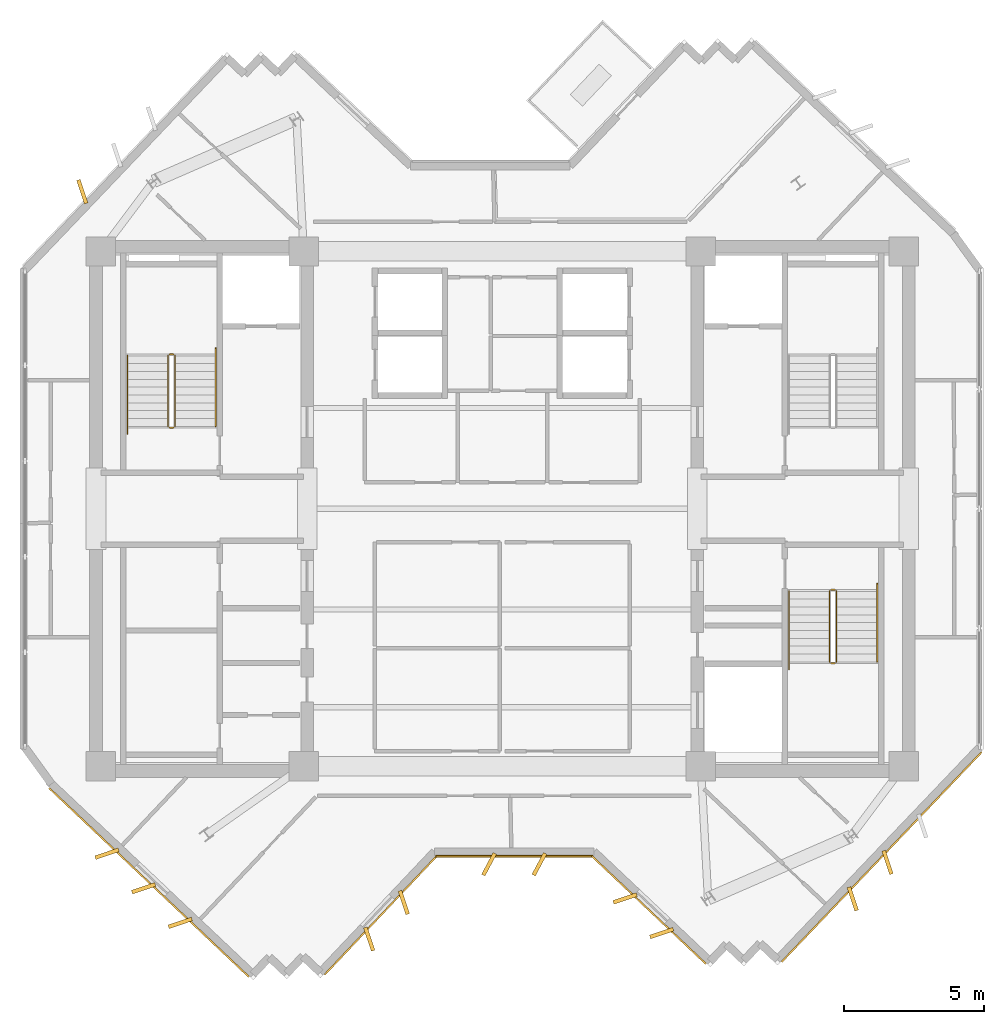
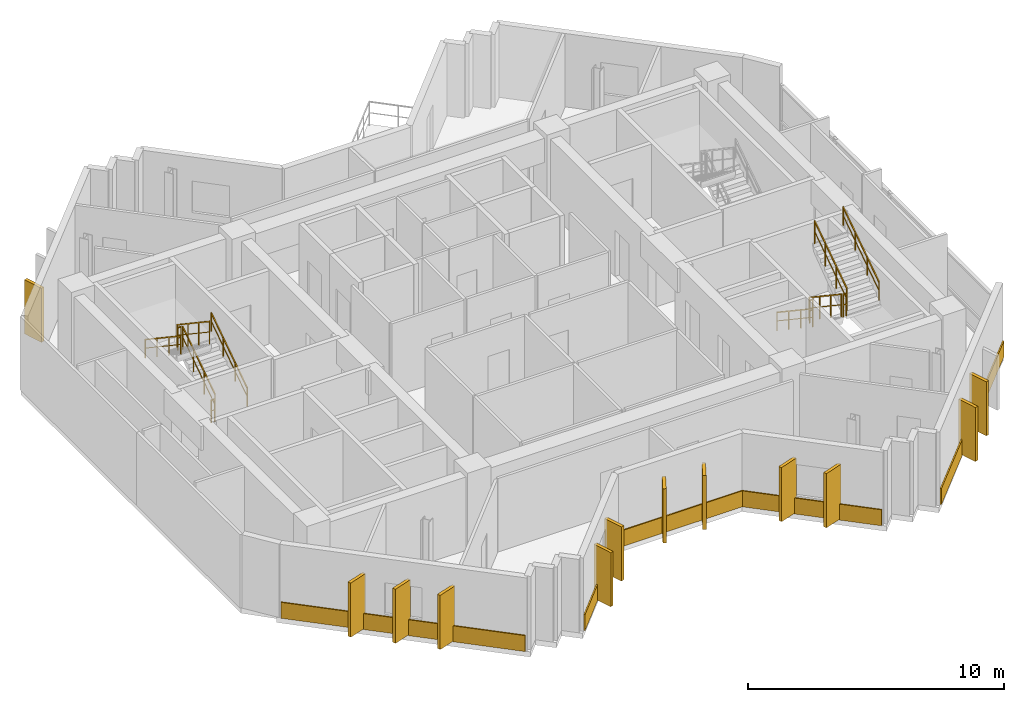
# One storey, part 8 of 9: 17 coverings, 12 railings.
"""IFC4 building model written with IfcOpenShell, lengths in metres."""

from ifc_helpers import new_model, si_unit, direction, frame, origin, origin_2d, place, context, subcontext, project, spatial, rectangle, extrude, source, transform, mapped, material, layer, layer_set, type_object, element, save


model = new_model("IFC4")

# Units and contexts
model_context = context("Model", 3, precision=1e-05, world=origin(), true_north=direction((0.0, 1.0)))
body_context = subcontext(model_context, "Body", "Model", "MODEL_VIEW")
ifc_project = project(units=[si_unit("LENGTHUNIT", "METRE"), si_unit("AREAUNIT", "SQUARE_METRE"), si_unit("VOLUMEUNIT", "CUBIC_METRE"), si_unit("PLANEANGLEUNIT", "RADIAN"), si_unit("MASSUNIT", "GRAM", prefix="KILO")], contexts=[model_context])

# Site, building, storey
site_placement = place(None, origin())
site = spatial("IfcSite", under=ifc_project, at=site_placement, CompositionType="ELEMENT")
building_placement = place(site_placement, origin())
building = spatial("IfcBuilding", under=site, at=building_placement, Name="Zahravan Cultural Tower", CompositionType="ELEMENT")
storey_placement = place(building_placement, frame((0.0, 0.0, 306.60009765625)))
storey = spatial("IfcBuildingStorey", under=building, at=storey_placement, Name="L74", CompositionType="ELEMENT", Elevation=306.60009765625)

# Railings
ifc_material_1 = material(Name="Steel ASTM A572 Grade 50", Category="steel")
railing_type_1 = type_object("IfcRailingType", Name="RL-STAIR-GRD1150", PredefinedType="BALUSTRADE", material=ifc_material_1)
railing_1_placement = place(storey_placement, frame((24.300048828125, 29.949951171875, 0.1875)))
element("IfcRailing", 1, at=railing_1_placement, inside=storey, type_object=railing_type_1, Name="L74 ST-W1 stair guard 1", PredefinedType="BALUSTRADE", context=body_context, shape_type="SweptSolid", body=[
    extrude(rectangle(XDim=0.05, YDim=0.05, at=origin_2d()), frame((0.0, 0.0, 1.0751953125), z_axis=(0.0, 0.830909170722, 0.55640807867), x_axis=(-1.0, 0.0, 0.0)), (0.0, 0.0, 1.0), 3.032958984375),
    extrude(rectangle(XDim=0.032, YDim=0.032, at=origin_2d()), frame((0.0, 0.0, 0.572021484375), z_axis=(0.0, 0.830909170722, 0.55640807867), x_axis=(-1.0, 0.0, 0.0)), (0.0, 0.0, 1.0), 3.032958984375),
    extrude(rectangle(XDim=0.04, YDim=0.04, at=origin_2d()), origin(), (0.0, 0.0, 1.0), 1.10009765625),
    extrude(rectangle(XDim=0.04, YDim=0.04, at=origin_2d()), frame((0.0, 0.840087890625, 0.5625)), (0.0, 0.0, 1.0), 1.10009765625),
    extrude(rectangle(XDim=0.04, YDim=0.04, at=origin_2d()), frame((0.0, 1.679931640625, 1.125)), (0.0, 0.0, 1.0), 1.10009765625),
    extrude(rectangle(XDim=0.04, YDim=0.04, at=origin_2d()), frame((0.0, 2.52001953125, 1.6875)), (0.0, 0.0, 1.0), 1.10009765625),
])
railing_2_placement = place(storey_placement, frame((24.25, 32.52001953125, 1.875)))
element("IfcRailing", 2, at=railing_2_placement, inside=storey, type_object=railing_type_1, Name="L74 ST-W1 stair guard 2", PredefinedType="BALUSTRADE", context=body_context, shape_type="SweptSolid", body=[
    extrude(rectangle(XDim=0.05, YDim=0.05, at=origin_2d()), frame((0.0, 0.0, 1.0751953125), z_axis=(-1.0, 0.0, 0.0), x_axis=(0.0, -1.0, 0.0)), (0.0, 0.0, 1.0), 0.14990234375),
    extrude(rectangle(XDim=0.032, YDim=0.032, at=origin_2d()), frame((0.0, 0.0, 0.572021484375), z_axis=(-1.0, 0.0, 0.0), x_axis=(0.0, -1.0, 0.0)), (0.0, 0.0, 1.0), 0.14990234375),
    extrude(rectangle(XDim=0.04, YDim=0.04, at=origin_2d()), origin(), (0.0, 0.0, 1.0), 1.10009765625),
    extrude(rectangle(XDim=0.04, YDim=0.04, at=origin_2d()), frame((-0.14990234375, 0.0, 0.0)), (0.0, 0.0, 1.0), 1.10009765625),
])
railing_3_placement = place(storey_placement, frame((24.050048828125, 32.469970703125, 2.0625)))
element("IfcRailing", 3, at=railing_3_placement, inside=storey, type_object=railing_type_1, Name="L74 ST-W1 stair guard 3", PredefinedType="BALUSTRADE", context=body_context, shape_type="SweptSolid", body=[
    extrude(rectangle(XDim=0.05, YDim=0.05, at=origin_2d()), frame((0.0, 0.0, 1.0751953125), z_axis=(0.0, -0.830909170722, 0.55640807867), x_axis=(1.0, 0.0, 0.0)), (0.0, 0.0, 1.0), 3.032958984375),
    extrude(rectangle(XDim=0.032, YDim=0.032, at=origin_2d()), frame((0.0, 0.0, 0.572021484375), z_axis=(0.0, -0.830909170722, 0.55640807867), x_axis=(1.0, 0.0, 0.0)), (0.0, 0.0, 1.0), 3.032958984375),
    extrude(rectangle(XDim=0.04, YDim=0.04, at=origin_2d()), origin(), (0.0, 0.0, 1.0), 1.10009765625),
    extrude(rectangle(XDim=0.04, YDim=0.04, at=origin_2d()), frame((0.0, -0.840087890625, 0.5625)), (0.0, 0.0, 1.0), 1.10009765625),
    extrude(rectangle(XDim=0.04, YDim=0.04, at=origin_2d()), frame((0.0, -1.679931640625, 1.125)), (0.0, 0.0, 1.0), 1.10009765625),
    extrude(rectangle(XDim=0.04, YDim=0.04, at=origin_2d()), frame((0.0, -2.52001953125, 1.6875)), (0.0, 0.0, 1.0), 1.10009765625),
])
railing_4_placement = place(storey_placement, frame((24.25, 29.89990234375, 0.0)))
element("IfcRailing", 4, at=railing_4_placement, inside=storey, type_object=railing_type_1, Name="L74 ST-W1 stair guard 4", PredefinedType="BALUSTRADE", context=body_context, shape_type="SweptSolid", body=[
    extrude(rectangle(XDim=0.05, YDim=0.05, at=origin_2d()), frame((0.0, 0.0, 1.0751953125), z_axis=(-1.0, 0.0, 0.0), x_axis=(0.0, -1.0, 0.0)), (0.0, 0.0, 1.0), 0.14990234375),
    extrude(rectangle(XDim=0.032, YDim=0.032, at=origin_2d()), frame((0.0, 0.0, 0.572021484375), z_axis=(-1.0, 0.0, 0.0), x_axis=(0.0, -1.0, 0.0)), (0.0, 0.0, 1.0), 0.14990234375),
    extrude(rectangle(XDim=0.04, YDim=0.04, at=origin_2d()), origin(), (0.0, 0.0, 1.0), 1.10009765625),
    extrude(rectangle(XDim=0.04, YDim=0.04, at=origin_2d()), frame((-0.14990234375, 0.0, 0.0)), (0.0, 0.0, 1.0), 1.10009765625),
])
railing_5_placement = place(storey_placement, frame((47.699951171875, 24.050048828125, 0.1875)))
element("IfcRailing", 5, at=railing_5_placement, inside=storey, type_object=railing_type_1, Name="L74 ST-E2 stair guard 1", PredefinedType="BALUSTRADE", context=body_context, shape_type="SweptSolid", body=[
    extrude(rectangle(XDim=0.05, YDim=0.05, at=origin_2d()), frame((0.0, 0.0, 1.0751953125), z_axis=(0.0, -0.830909170722, 0.55640807867), x_axis=(1.0, 0.0, 0.0)), (0.0, 0.0, 1.0), 3.032958984375),
    extrude(rectangle(XDim=0.032, YDim=0.032, at=origin_2d()), frame((0.0, 0.0, 0.572021484375), z_axis=(0.0, -0.830909170722, 0.55640807867), x_axis=(1.0, 0.0, 0.0)), (0.0, 0.0, 1.0), 3.032958984375),
    extrude(rectangle(XDim=0.04, YDim=0.04, at=origin_2d()), origin(), (0.0, 0.0, 1.0), 1.10009765625),
    extrude(rectangle(XDim=0.04, YDim=0.04, at=origin_2d()), frame((0.0, -0.840087890625, 0.5625)), (0.0, 0.0, 1.0), 1.10009765625),
    extrude(rectangle(XDim=0.04, YDim=0.04, at=origin_2d()), frame((0.0, -1.679931640625, 1.125)), (0.0, 0.0, 1.0), 1.10009765625),
    extrude(rectangle(XDim=0.04, YDim=0.04, at=origin_2d()), frame((0.0, -2.52001953125, 1.6875)), (0.0, 0.0, 1.0), 1.10009765625),
])
railing_6_placement = place(storey_placement, frame((47.75, 21.47998046875, 1.875)))
element("IfcRailing", 6, at=railing_6_placement, inside=storey, type_object=railing_type_1, Name="L74 ST-E2 stair guard 2", PredefinedType="BALUSTRADE", context=body_context, shape_type="SweptSolid", body=[
    extrude(rectangle(XDim=0.05, YDim=0.05, at=origin_2d()), frame((0.0, 0.0, 1.0751953125), z_axis=(1.0, 0.0, 0.0), x_axis=(0.0, 1.0, 0.0)), (0.0, 0.0, 1.0), 0.14990234375),
    extrude(rectangle(XDim=0.032, YDim=0.032, at=origin_2d()), frame((0.0, 0.0, 0.572021484375), z_axis=(1.0, 0.0, 0.0), x_axis=(0.0, 1.0, 0.0)), (0.0, 0.0, 1.0), 0.14990234375),
    extrude(rectangle(XDim=0.04, YDim=0.04, at=origin_2d()), origin(), (0.0, 0.0, 1.0), 1.10009765625),
    extrude(rectangle(XDim=0.04, YDim=0.04, at=origin_2d()), frame((0.14990234375, 0.0, 0.0)), (0.0, 0.0, 1.0), 1.10009765625),
])
railing_7_placement = place(storey_placement, frame((47.949951171875, 21.530029296875, 2.0625)))
element("IfcRailing", 7, at=railing_7_placement, inside=storey, type_object=railing_type_1, Name="L74 ST-E2 stair guard 3", PredefinedType="BALUSTRADE", context=body_context, shape_type="SweptSolid", body=[
    extrude(rectangle(XDim=0.05, YDim=0.05, at=origin_2d()), frame((0.0, 0.0, 1.0751953125), z_axis=(0.0, 0.830909170722, 0.55640807867), x_axis=(-1.0, 0.0, 0.0)), (0.0, 0.0, 1.0), 3.032958984375),
    extrude(rectangle(XDim=0.032, YDim=0.032, at=origin_2d()), frame((0.0, 0.0, 0.572021484375), z_axis=(0.0, 0.830909170722, 0.55640807867), x_axis=(-1.0, 0.0, 0.0)), (0.0, 0.0, 1.0), 3.032958984375),
    extrude(rectangle(XDim=0.04, YDim=0.04, at=origin_2d()), origin(), (0.0, 0.0, 1.0), 1.10009765625),
    extrude(rectangle(XDim=0.04, YDim=0.04, at=origin_2d()), frame((0.0, 0.840087890625, 0.5625)), (0.0, 0.0, 1.0), 1.10009765625),
    extrude(rectangle(XDim=0.04, YDim=0.04, at=origin_2d()), frame((0.0, 1.679931640625, 1.125)), (0.0, 0.0, 1.0), 1.10009765625),
    extrude(rectangle(XDim=0.04, YDim=0.04, at=origin_2d()), frame((0.0, 2.52001953125, 1.6875)), (0.0, 0.0, 1.0), 1.10009765625),
])
railing_8_placement = place(storey_placement, frame((47.75, 24.10009765625, 0.0)))
element("IfcRailing", 8, at=railing_8_placement, inside=storey, type_object=railing_type_1, Name="L74 ST-E2 stair guard 4", PredefinedType="BALUSTRADE", context=body_context, shape_type="SweptSolid", body=[
    extrude(rectangle(XDim=0.05, YDim=0.05, at=origin_2d()), frame((0.0, 0.0, 1.0751953125), z_axis=(1.0, 0.0, 0.0), x_axis=(0.0, 1.0, 0.0)), (0.0, 0.0, 1.0), 0.14990234375),
    extrude(rectangle(XDim=0.032, YDim=0.032, at=origin_2d()), frame((0.0, 0.0, 0.572021484375), z_axis=(1.0, 0.0, 0.0), x_axis=(0.0, 1.0, 0.0)), (0.0, 0.0, 1.0), 0.14990234375),
    extrude(rectangle(XDim=0.04, YDim=0.04, at=origin_2d()), origin(), (0.0, 0.0, 1.0), 1.10009765625),
    extrude(rectangle(XDim=0.04, YDim=0.04, at=origin_2d()), frame((0.14990234375, 0.0, 0.0)), (0.0, 0.0, 1.0), 1.10009765625),
])
railing_type_2 = type_object("IfcRailingType", Name="RL-STAIR-HR900", PredefinedType="HANDRAIL", material=ifc_material_1)
railing_9_placement = place(storey_placement, frame((25.75, 29.949951171875, 0.1875)))
element("IfcRailing", 9, at=railing_9_placement, inside=storey, type_object=railing_type_2, Name="L74 ST-W1 stair handrail 1", PredefinedType="HANDRAIL", context=body_context, shape_type="SweptSolid", body=[
    extrude(rectangle(XDim=0.05, YDim=0.05, at=origin_2d()), frame((0.0, 0.0, 0.875), z_axis=(0.0, 0.830911662861, 0.55640435703), x_axis=(-1.0, 0.0, 0.0)), (0.0, 0.0, 1.0), 3.369873046875),
    extrude(rectangle(XDim=0.032, YDim=0.032, at=origin_2d()), frame((0.0, 0.0, 0.468017578125), z_axis=(0.0, 0.830911662861, 0.55640435703), x_axis=(-1.0, 0.0, 0.0)), (0.0, 0.0, 1.0), 3.369873046875),
    extrude(rectangle(XDim=0.04, YDim=0.04, at=origin_2d()), origin(), (0.0, 0.0, 1.0), 0.89990234375),
    extrude(rectangle(XDim=0.04, YDim=0.04, at=origin_2d()), frame((0.0, 0.933349609375, 0.625)), (0.0, 0.0, 1.0), 0.89990234375),
    extrude(rectangle(XDim=0.04, YDim=0.04, at=origin_2d()), frame((0.0, 1.86669921875, 1.25)), (0.0, 0.0, 1.0), 0.89990234375),
    extrude(rectangle(XDim=0.04, YDim=0.04, at=origin_2d()), frame((0.0, 2.800048828125, 1.875)), (0.0, 0.0, 1.0), 0.89990234375),
])
for number, where, name in (
    (10, (22.60009765625, 32.469970703125, 2.0625), "L74 ST-W1 stair handrail 2"),
    (11, (46.25, 24.050048828125, 0.1875), "L74 ST-E2 stair handrail 1"),
):
    element("IfcRailing", number, at=place(storey_placement, frame(where)), inside=storey, type_object=railing_type_2, Name=name, PredefinedType="HANDRAIL", context=body_context, shape_type="SweptSolid", body=[
        extrude(rectangle(XDim=0.05, YDim=0.05, at=origin_2d()), frame((0.0, 0.0, 0.875), z_axis=(0.0, -0.830911662861, 0.55640435703), x_axis=(1.0, 0.0, 0.0)), (0.0, 0.0, 1.0), 3.369873046875),
        extrude(rectangle(XDim=0.032, YDim=0.032, at=origin_2d()), frame((0.0, 0.0, 0.468017578125), z_axis=(0.0, -0.830911662861, 0.55640435703), x_axis=(1.0, 0.0, 0.0)), (0.0, 0.0, 1.0), 3.369873046875),
        extrude(rectangle(XDim=0.04, YDim=0.04, at=origin_2d()), origin(), (0.0, 0.0, 1.0), 0.89990234375),
        extrude(rectangle(XDim=0.04, YDim=0.04, at=origin_2d()), frame((0.0, -0.933349609375, 0.625)), (0.0, 0.0, 1.0), 0.89990234375),
        extrude(rectangle(XDim=0.04, YDim=0.04, at=origin_2d()), frame((0.0, -1.86669921875, 1.25)), (0.0, 0.0, 1.0), 0.89990234375),
        extrude(rectangle(XDim=0.04, YDim=0.04, at=origin_2d()), frame((0.0, -2.800048828125, 1.875)), (0.0, 0.0, 1.0), 0.89990234375),
    ])
railing_10_placement = place(storey_placement, frame((49.39990234375, 21.530029296875, 2.0625)))
element("IfcRailing", 12, at=railing_10_placement, inside=storey, type_object=railing_type_2, Name="L74 ST-E2 stair handrail 2", PredefinedType="HANDRAIL", context=body_context, shape_type="SweptSolid", body=[
    extrude(rectangle(XDim=0.05, YDim=0.05, at=origin_2d()), frame((0.0, 0.0, 0.875), z_axis=(0.0, 0.830911662861, 0.55640435703), x_axis=(-1.0, 0.0, 0.0)), (0.0, 0.0, 1.0), 3.369873046875),
    extrude(rectangle(XDim=0.032, YDim=0.032, at=origin_2d()), frame((0.0, 0.0, 0.468017578125), z_axis=(0.0, 0.830911662861, 0.55640435703), x_axis=(-1.0, 0.0, 0.0)), (0.0, 0.0, 1.0), 3.369873046875),
    extrude(rectangle(XDim=0.04, YDim=0.04, at=origin_2d()), origin(), (0.0, 0.0, 1.0), 0.89990234375),
    extrude(rectangle(XDim=0.04, YDim=0.04, at=origin_2d()), frame((0.0, 0.933349609375, 0.625)), (0.0, 0.0, 1.0), 0.89990234375),
    extrude(rectangle(XDim=0.04, YDim=0.04, at=origin_2d()), frame((0.0, 1.86669921875, 1.25)), (0.0, 0.0, 1.0), 0.89990234375),
    extrude(rectangle(XDim=0.04, YDim=0.04, at=origin_2d()), frame((0.0, 2.800048828125, 1.875)), (0.0, 0.0, 1.0), 0.89990234375),
])

# Coverings
ifc_material_2 = material(Name="Terracotta ceramic cladding", Category="masonry")
ifc_layer = layer(ifc_material_2, 0.06005859375)
ifc_layer_set = layer_set([ifc_layer], Name="Terracotta ceramic cladding")
covering_type = type_object("IfcCoveringType", Name="COV-CLAD-TC60", PredefinedType="CLADDING", material=ifc_layer_set)
shared_shape_1 = source(origin(), body_context, "Body", "SweptSolid", [
    extrude(rectangle(XDim=9.820068359375, YDim=0.06005859375, at=origin_2d()), origin(), (0.0, 0.0, 1.0), 0.760009765625),
])
covering_1_placement = place(storey_placement, frame((23.371826171875, 13.63818359375, 0.02001953125), z_axis=(0.0, 0.0, 1.0), x_axis=(-0.726766513668, 0.686884586092, 0.0)))
element("IfcCovering", 13, at=covering_1_placement, inside=storey, type_object=covering_type, Name="L74 Terracotta Spandrel Cladding 20", PredefinedType="CLADDING", context=body_context, shape_type="MappedRepresentation", body=[
    mapped(shared_shape_1, transform((0.0, 0.0, 0.0), x_axis=(1.0, 0.0, 0.0), y_axis=(0.0, 1.0, 0.0), z_axis=(0.0, 0.0, 1.0), scale=1.0)),
])
shared_shape_2 = source(origin(), body_context, "Body", "SweptSolid", [
    extrude(rectangle(XDim=0.8798828125, YDim=0.139892578125, at=origin_2d()), origin(), (0.0, 0.0, 1.0), 2.580078125),
])
for number, where, z_axis, x_axis, name in (
    (14, (49.773193359375, 14.358642578125, 0.0498046875), (0.0, 0.0, 1.0), (0.315069342719, -0.949068653617, 0.0), "L74 Herringbone Terracotta Fin 05"),
    (15, (48.531005859375, 13.055908203125, 0.0498046875), (0.0, 0.0, 1.0), (0.315069342719, -0.949068653617, 0.0), "L74 Herringbone Terracotta Fin 06"),
    (16, (41.698974609375, 11.8310546875, 0.0498046875), (0.0, 0.0, 1.0), (-0.947679302814, -0.319223963727, 0.0), "L74 Herringbone Terracotta Fin 07"),
    (17, (40.390625, 13.0673828125, 0.0498046875), (0.0, 0.0, 1.0), (-0.947679302814, -0.319223963727, 0.0), "L74 Herringbone Terracotta Fin 08"),
    (18, (37.326416015625, 14.2900390625, 0.0498046875), (0.0, 0.0, 1.0), (-0.469471562786, -0.882947592859, 0.0), "L74 Herringbone Terracotta Fin 09"),
    (19, (35.5263671875, 14.2900390625, 0.0498046875), (0.0, 0.0, 1.0), (-0.469471562786, -0.882947592859, 0.0), "L74 Herringbone Terracotta Fin 10"),
    (20, (32.480224609375, 12.924560546875, 0.0498046875), (0.0, 0.0, 1.0), (0.319240503802, -0.947673731161, 0.0), "L74 Herringbone Terracotta Fin 11"),
    (21, (31.243896484375, 11.616455078125, 0.0498046875), (0.0, 0.0, 1.0), (0.319240503802, -0.947673731161, 0.0), "L74 Herringbone Terracotta Fin 12"),
    (22, (24.484130859375, 12.194580078125, 0.0498046875), (0.0, 0.0, 1.0), (-0.947679302814, -0.319223963727, 0.0), "L74 Herringbone Terracotta Fin 13"),
    (23, (23.176025390625, 13.43115234375, 0.0498046875), (0.0, 0.0, 1.0), (-0.947679302814, -0.319223963727, 0.0), "L74 Herringbone Terracotta Fin 14"),
    (24, (21.867919921875, 14.66748046875, 0.0498046875), (0.0, 0.0, 1.0), (-0.947679302814, -0.319223963727, 0.0), "L74 Herringbone Terracotta Fin 15"),
    (25, (20.984619140625, 38.338623046875, 0.0498046875), (0.0, 0.0, 1.0), (-0.315069342719, 0.949068653617, 0.0), "L74 Herringbone Terracotta Fin 16"),
):
    element("IfcCovering", number, at=place(storey_placement, frame(where, z_axis=z_axis, x_axis=x_axis)), inside=storey, type_object=covering_type, Name=name, PredefinedType="CLADDING", context=body_context, shape_type="MappedRepresentation", body=[
        mapped(shared_shape_2, transform((0.0, 0.0, 0.0), x_axis=(1.0, 0.0, 0.0), y_axis=(0.0, 1.0, 0.0), z_axis=(0.0, 0.0, 1.0), scale=1.0)),
    ])
shared_shape_3 = source(origin(), body_context, "Body", "SweptSolid", [
    extrude(rectangle(XDim=5.84521484375, YDim=0.06005859375, at=origin_2d()), origin(), (0.0, 0.0, 1.0), 0.760009765625),
])
covering_2_placement = place(storey_placement, frame((31.65478515625, 12.46630859375, 0.02001953125), z_axis=(0.0, 0.0, 1.0), x_axis=(-0.686871901519, -0.726778501955, 0.0)))
element("IfcCovering", 26, at=covering_2_placement, inside=storey, type_object=covering_type, Name="L74 Terracotta Spandrel Cladding 15", PredefinedType="CLADDING", context=body_context, shape_type="MappedRepresentation", body=[
    mapped(shared_shape_3, transform((0.0, 0.0, 0.0), x_axis=(1.0, 0.0, 0.0), y_axis=(0.0, 1.0, 0.0), z_axis=(0.0, 0.0, 1.0), scale=1.0)),
])
shared_shape_4 = source(origin(), body_context, "Body", "SweptSolid", [
    extrude(rectangle(XDim=10.3701171875, YDim=0.06005859375, at=origin_2d()), origin(), (0.0, 0.0, 1.0), 0.760009765625),
])
covering_3_placement = place(storey_placement, frame((49.56689453125, 14.555419921875, 0.02001953125), z_axis=(0.0, 0.0, 1.0), x_axis=(-0.690061786457, -0.723750461742, 0.0)))
element("IfcCovering", 27, at=covering_3_placement, inside=storey, type_object=covering_type, Name="L74 Terracotta Spandrel Cladding 08", PredefinedType="CLADDING", context=body_context, shape_type="MappedRepresentation", body=[
    mapped(shared_shape_4, transform((0.0, 0.0, 0.0), x_axis=(1.0, 0.0, 0.0), y_axis=(0.0, 1.0, 0.0), z_axis=(0.0, 0.0, 1.0), scale=1.0)),
])
shared_shape_5 = source(origin(), body_context, "Body", "SweptSolid", [
    extrude(rectangle(XDim=5.617919921875, YDim=0.06005859375, at=origin_2d()), origin(), (0.0, 0.0, 1.0), 0.760009765625),
])
covering_4_placement = place(storey_placement, frame((41.240478515625, 12.65625, 0.02001953125), z_axis=(0.0, 0.0, 1.0), x_axis=(-0.726766513668, 0.686884586092, 0.0)))
element("IfcCovering", 28, at=covering_4_placement, inside=storey, type_object=covering_type, Name="L74 Terracotta Spandrel Cladding 13", PredefinedType="CLADDING", context=body_context, shape_type="MappedRepresentation", body=[
    mapped(shared_shape_5, transform((0.0, 0.0, 0.0), x_axis=(1.0, 0.0, 0.0), y_axis=(0.0, 1.0, 0.0), z_axis=(0.0, 0.0, 1.0), scale=1.0)),
])
shared_shape_6 = source(origin(), body_context, "Body", "SweptSolid", [
    extrude(rectangle(XDim=5.599365234375, YDim=0.06005859375, at=origin_2d()), origin(), (0.0, 0.0, 1.0), 0.760009765625),
])
covering_5_placement = place(storey_placement, frame((36.426513671875, 14.574951171875, 0.02001953125), z_axis=(0.0, 0.0, 1.0), x_axis=(-1.0, 0.0, 0.0)))
element("IfcCovering", 29, at=covering_5_placement, inside=storey, type_object=covering_type, Name="L74 Terracotta Spandrel Cladding 14", PredefinedType="CLADDING", context=body_context, shape_type="MappedRepresentation", body=[
    mapped(shared_shape_6, transform((0.0, 0.0, 0.0), x_axis=(1.0, 0.0, 0.0), y_axis=(0.0, 1.0, 0.0), z_axis=(0.0, 0.0, 1.0), scale=1.0)),
])

save(model, "model.ifc")
